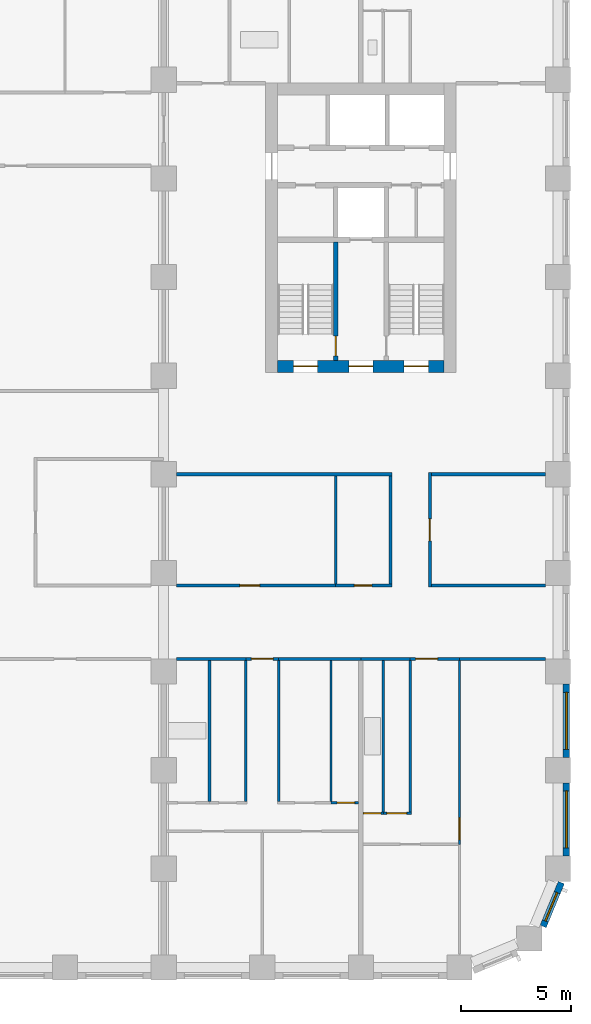
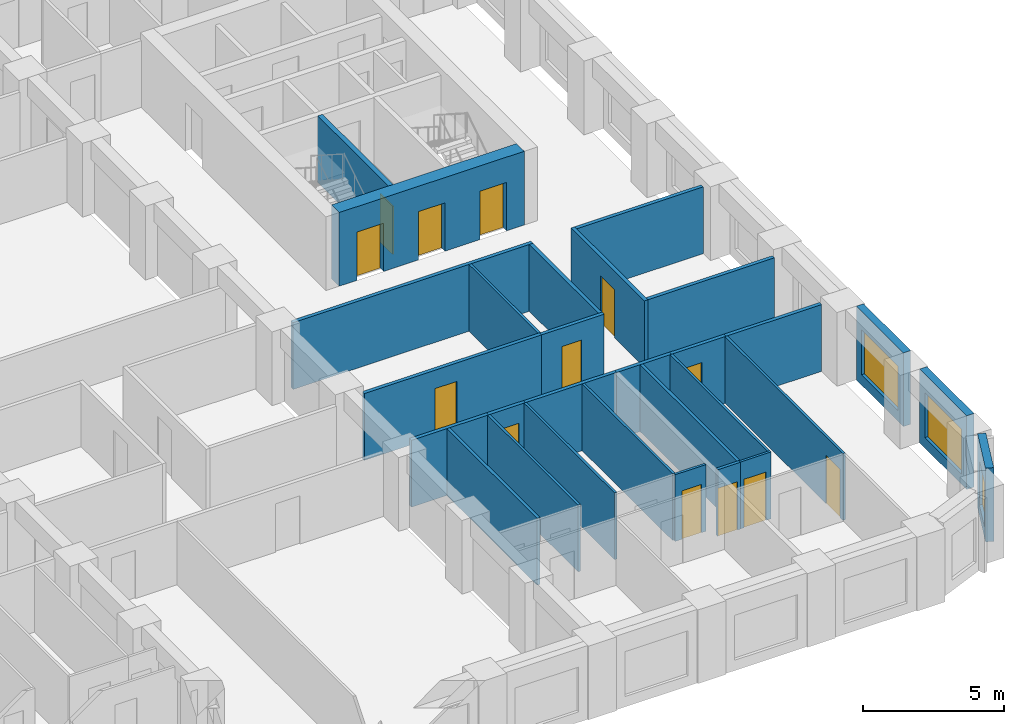
# One storey, part 5 of 12: 29 walls, 13 doors, 3 windows, 16 openings.
"""IFC4 building model written with IfcOpenShell, lengths in metres."""

from ifc_helpers import new_model, si_unit, direction, frame, frame_2d, origin, place, context, subcontext, project, spatial, rectangle, extrude, material, layer, layer_set, type_object, element, fill, save


model = new_model("IFC4")

# Units and contexts
model_context = context("Model", 3, precision=1e-05, world=origin(), true_north=direction((0.0, 1.0)))
body_context = subcontext(model_context, "Body", "Model", "MODEL_VIEW")
ifc_project = project(units=[si_unit("LENGTHUNIT", "METRE"), si_unit("AREAUNIT", "SQUARE_METRE"), si_unit("VOLUMEUNIT", "CUBIC_METRE"), si_unit("PLANEANGLEUNIT", "RADIAN"), si_unit("MASSUNIT", "GRAM", prefix="KILO")], contexts=[model_context])

# Site, building, storey
site_placement = place(None, origin())
site = spatial("IfcSite", under=ifc_project, at=site_placement, CompositionType="ELEMENT")
building_placement = place(site_placement, origin())
building = spatial("IfcBuilding", under=site, at=building_placement, Name="Girih Gate Residences", CompositionType="ELEMENT")
storey_placement = place(building_placement, frame((0.0, 0.0, 108.800048828125)))
storey = spatial("IfcBuildingStorey", under=building, at=storey_placement, Name="L30", CompositionType="ELEMENT", Elevation=108.800048828125)

# Wall
ifc_material_1 = material(Name="Gypsum board on steel studs", Category="steel")
ifc_layer_1 = layer(ifc_material_1, 0.14990234375)
ifc_layer_set_1 = layer_set([ifc_layer_1], Name="Compartment wall 150 mm")
wall_type_1 = type_object("IfcWallType", Name="Compartment wall 150 mm", PredefinedType="PARTITIONING", material=ifc_layer_set_1)
wall_1_placement = place(storey_placement, frame((40.5, 14.074951171875, 0.0), z_axis=(0.0, 0.0, 1.0), x_axis=(1.0, 0.0, 0.0)))
element("IfcWall", 1, at=wall_1_placement, inside=storey, type_object=wall_type_1, Name="L30 partition", PredefinedType="PARTITIONING", context=body_context, shape_type="SweptSolid", body=[
    extrude(rectangle(XDim=2.25, YDim=0.14990234375, at=frame_2d((1.125, 0.0))), origin(), (0.0, 0.0, 1.0), 2.89990234375),
])

# Wall, opening, door
wall_2_placement = place(storey_placement, frame((45.0, 14.074951171875, 0.0), z_axis=(0.0, 0.0, 1.0), x_axis=(-1.0, 0.0, 0.0)))
wall_2 = element("IfcWall", 2, at=wall_2_placement, inside=storey, type_object=wall_type_1, Name="L30 partition", PredefinedType="PARTITIONING", context=body_context, shape_type="SweptSolid", body=[
    extrude(rectangle(XDim=2.25, YDim=0.14990234375, at=frame_2d((1.125, 0.0))), origin(), (0.0, 0.0, 1.0), 2.89990234375),
])
opening_1_placement = place(wall_2_placement, frame((1.0, 0.0, 0.0)))
opening_1 = element("IfcOpeningElement", 3, at=opening_1_placement, cuts=wall_2, Name="Opening A30-021", PredefinedType="OPENING", context=body_context, shape_type="SweptSolid", body=[
    extrude(rectangle(XDim=1.0, YDim=2.10009765625, at=frame_2d((0.5, 1.050048828125))), frame((0.0, 0.0849609375, 0.0), z_axis=(0.0, -1.0, 0.0), x_axis=(1.0, 0.0, 0.0)), (0.0, 0.0, 1.0), 0.169921875),
])
ifc_material_2 = material(Name="Timber, fire-rated core", Category="wood")
door_type_1 = type_object("IfcDoorType", Name="Flat entrance door 1000x2100 FD30S", OperationType="NOTDEFINED", PredefinedType="DOOR", material=ifc_material_2)
door_1_placement = place(opening_1_placement, origin())
door_1 = element("IfcDoor", 4, at=door_1_placement, inside=storey, type_object=door_type_1, Name="Door A30-021", OperationType="SINGLE_SWING_RIGHT", OverallHeight=2.10009765625, OverallWidth=1.0, PredefinedType="DOOR", context=body_context, shape_type="SweptSolid", body=[
    extrude(rectangle(XDim=1.0, YDim=2.10009765625, at=frame_2d((0.5, 1.050048828125))), frame((0.0, 0.02490234375, 0.0), z_axis=(0.0, -1.0, 0.0), x_axis=(1.0, 0.0, 0.0)), (0.0, 0.0, 1.0), 0.050048828125),
])
fill(opening_1, door_1)

# Walls
wall_3_placement = place(storey_placement, frame((45.0, 14.074951171875, 0.0), z_axis=(0.0, 0.0, 1.0), x_axis=(1.0, 0.0, 0.0)))
element("IfcWall", 5, at=wall_3_placement, inside=storey, type_object=wall_type_1, Name="L30 partition", PredefinedType="PARTITIONING", context=body_context, shape_type="SweptSolid", body=[
    extrude(rectangle(XDim=3.925048828125, YDim=0.14990234375, at=frame_2d((1.96240234375, 0.0))), origin(), (0.0, 0.0, 1.0), 2.89990234375),
])
wall_4_placement = place(storey_placement, frame((32.074951171875, 14.074951171875, 0.0), z_axis=(0.0, 0.0, 1.0), x_axis=(1.0, 0.0, 0.0)))
element("IfcWall", 6, at=wall_4_placement, inside=storey, type_object=wall_type_1, Name="L30 partition", PredefinedType="PARTITIONING", context=body_context, shape_type="SweptSolid", body=[
    extrude(rectangle(XDim=3.175048828125, YDim=0.14990234375, at=frame_2d((1.58740234375, 0.0))), origin(), (0.0, 0.0, 1.0), 2.89990234375),
])

# Wall, opening, door
wall_5_placement = place(storey_placement, frame((36.75, 14.074951171875, 0.0), z_axis=(0.0, 0.0, 1.0), x_axis=(-1.0, 0.0, 0.0)))
wall_5 = element("IfcWall", 7, at=wall_5_placement, inside=storey, type_object=wall_type_1, Name="L30 partition", PredefinedType="PARTITIONING", context=body_context, shape_type="SweptSolid", body=[
    extrude(rectangle(XDim=1.5, YDim=0.14990234375, at=frame_2d((0.75, 0.0))), origin(), (0.0, 0.0, 1.0), 2.89990234375),
])
opening_2_placement = place(wall_5_placement, frame((0.25, 0.0, 0.0)))
opening_2 = element("IfcOpeningElement", 8, at=opening_2_placement, cuts=wall_5, Name="Opening A30-028", PredefinedType="OPENING", context=body_context, shape_type="SweptSolid", body=[
    extrude(rectangle(XDim=1.0, YDim=2.10009765625, at=frame_2d((0.5, 1.050048828125))), frame((0.0, 0.0849609375, 0.0), z_axis=(0.0, -1.0, 0.0), x_axis=(1.0, 0.0, 0.0)), (0.0, 0.0, 1.0), 0.169921875),
])
door_2_placement = place(opening_2_placement, origin())
door_2 = element("IfcDoor", 9, at=door_2_placement, inside=storey, type_object=door_type_1, Name="Door A30-028", OperationType="SINGLE_SWING_RIGHT", OverallHeight=2.10009765625, OverallWidth=1.0, PredefinedType="DOOR", context=body_context, shape_type="SweptSolid", body=[
    extrude(rectangle(XDim=1.0, YDim=2.10009765625, at=frame_2d((0.5, 1.050048828125))), frame((0.0, 0.02490234375, 0.0), z_axis=(0.0, -1.0, 0.0), x_axis=(1.0, 0.0, 0.0)), (0.0, 0.0, 1.0), 0.050048828125),
])
fill(opening_2, door_2)

# Wall
wall_6_placement = place(storey_placement, frame((36.75, 14.074951171875, 0.0), z_axis=(0.0, 0.0, 1.0), x_axis=(1.0, 0.0, 0.0)))
element("IfcWall", 10, at=wall_6_placement, inside=storey, type_object=wall_type_1, Name="L30 partition", PredefinedType="PARTITIONING", context=body_context, shape_type="SweptSolid", body=[
    extrude(rectangle(XDim=3.75, YDim=0.14990234375, at=frame_2d((1.875, 0.0))), origin(), (0.0, 0.0, 1.0), 2.89990234375),
])

# Wall, opening, door
wall_7_placement = place(storey_placement, frame((32.074951171875, 17.425048828125, 0.0), z_axis=(0.0, 0.0, 1.0), x_axis=(1.0, 0.0, 0.0)))
wall_7 = element("IfcWall", 11, at=wall_7_placement, inside=storey, type_object=wall_type_1, Name="L30 partition", PredefinedType="PARTITIONING", context=body_context, shape_type="SweptSolid", body=[
    extrude(rectangle(XDim=7.275146484375, YDim=0.14990234375, at=frame_2d((3.6376953125, 0.0))), origin(), (0.0, 0.0, 1.0), 2.89990234375),
])
opening_3_placement = place(wall_7_placement, frame((2.89990234375, 0.0, 0.0)))
opening_3 = element("IfcOpeningElement", 12, at=opening_3_placement, cuts=wall_7, Name="Opening A30-048", PredefinedType="OPENING", context=body_context, shape_type="SweptSolid", body=[
    extrude(rectangle(XDim=0.89990234375, YDim=2.10009765625, at=frame_2d((0.449951171875, 1.050048828125))), frame((0.0, 0.0849609375, 0.0), z_axis=(0.0, -1.0, 0.0), x_axis=(1.0, 0.0, 0.0)), (0.0, 0.0, 1.0), 0.169921875),
])
ifc_material_3 = material(Name="Timber", Category="wood")
door_type_2 = type_object("IfcDoorType", Name="Service room door 900x2100", OperationType="NOTDEFINED", PredefinedType="DOOR", material=ifc_material_3)
door_3_placement = place(opening_3_placement, origin())
door_3 = element("IfcDoor", 13, at=door_3_placement, inside=storey, type_object=door_type_2, Name="Door A30-048", OperationType="SINGLE_SWING_LEFT", OverallHeight=2.10009765625, OverallWidth=0.89990234375, PredefinedType="DOOR", context=body_context, shape_type="SweptSolid", body=[
    extrude(rectangle(XDim=0.89990234375, YDim=2.10009765625, at=frame_2d((0.449951171875, 1.050048828125))), frame((0.0, 0.02490234375, 0.0), z_axis=(0.0, -1.0, 0.0), x_axis=(1.0, 0.0, 0.0)), (0.0, 0.0, 1.0), 0.050048828125),
])
fill(opening_3, door_3)

wall_8_placement = place(storey_placement, frame((39.35009765625, 17.425048828125, 0.0), z_axis=(0.0, 0.0, 1.0), x_axis=(1.0, 0.0, 0.0)))
wall_8 = element("IfcWall", 14, at=wall_8_placement, inside=storey, type_object=wall_type_1, Name="L30 partition", PredefinedType="PARTITIONING", context=body_context, shape_type="SweptSolid", body=[
    extrude(rectangle(XDim=2.574951171875, YDim=0.14990234375, at=frame_2d((1.28759765625, 0.0))), origin(), (0.0, 0.0, 1.0), 2.89990234375),
])
opening_4_placement = place(wall_8_placement, frame((0.85009765625, 0.0, 0.0)))
opening_4 = element("IfcOpeningElement", 15, at=opening_4_placement, cuts=wall_8, Name="Opening A30-050", PredefinedType="OPENING", context=body_context, shape_type="SweptSolid", body=[
    extrude(rectangle(XDim=0.800048828125, YDim=2.10009765625, at=frame_2d((0.39990234375, 1.050048828125))), frame((0.0, 0.0849609375, 0.0), z_axis=(0.0, -1.0, 0.0), x_axis=(1.0, 0.0, 0.0)), (0.0, 0.0, 1.0), 0.169921875),
])
door_type_3 = type_object("IfcDoorType", Name="Bathroom door 800x2100", OperationType="NOTDEFINED", PredefinedType="DOOR", material=ifc_material_3)
door_4_placement = place(opening_4_placement, origin())
door_4 = element("IfcDoor", 16, at=door_4_placement, inside=storey, type_object=door_type_3, Name="Door A30-050", OperationType="SINGLE_SWING_LEFT", OverallHeight=2.10009765625, OverallWidth=0.800048828125, PredefinedType="DOOR", context=body_context, shape_type="SweptSolid", body=[
    extrude(rectangle(XDim=0.800048828125, YDim=2.10009765625, at=frame_2d((0.39990234375, 1.050048828125))), frame((0.0, 0.02490234375, 0.0), z_axis=(0.0, -1.0, 0.0), x_axis=(1.0, 0.0, 0.0)), (0.0, 0.0, 1.0), 0.050048828125),
])
fill(opening_4, door_4)

# Walls
wall_9_placement = place(storey_placement, frame((43.72509765625, 17.425048828125, 0.0), z_axis=(0.0, 0.0, 1.0), x_axis=(1.0, 0.0, 0.0)))
element("IfcWall", 17, at=wall_9_placement, inside=storey, type_object=wall_type_1, Name="L30 partition", PredefinedType="PARTITIONING", context=body_context, shape_type="SweptSolid", body=[
    extrude(rectangle(XDim=5.199951171875, YDim=0.14990234375, at=frame_2d((2.60009765625, 0.0))), origin(), (0.0, 0.0, 1.0), 2.89990234375),
])
wall_10_placement = place(storey_placement, frame((32.074951171875, 22.5, 0.0), z_axis=(0.0, 0.0, 1.0), x_axis=(1.0, 0.0, 0.0)))
element("IfcWall", 18, at=wall_10_placement, inside=storey, type_object=wall_type_1, Name="L30 partition", PredefinedType="PARTITIONING", context=body_context, shape_type="SweptSolid", body=[
    extrude(rectangle(XDim=9.85009765625, YDim=0.14990234375, at=frame_2d((4.925048828125, 0.0))), origin(), (0.0, 0.0, 1.0), 2.89990234375),
])
wall_11_placement = place(storey_placement, frame((43.72509765625, 22.5, 0.0), z_axis=(0.0, 0.0, 1.0), x_axis=(1.0, 0.0, 0.0)))
element("IfcWall", 19, at=wall_11_placement, inside=storey, type_object=wall_type_1, Name="L30 partition", PredefinedType="PARTITIONING", context=body_context, shape_type="SweptSolid", body=[
    extrude(rectangle(XDim=5.199951171875, YDim=0.14990234375, at=frame_2d((2.60009765625, 0.0))), origin(), (0.0, 0.0, 1.0), 2.89990234375),
])
wall_12_placement = place(storey_placement, frame((41.85009765625, 17.5, 0.0), z_axis=(0.0, 0.0, 1.0), x_axis=(0.0, 1.0, 0.0)))
element("IfcWall", 20, at=wall_12_placement, inside=storey, type_object=wall_type_1, Name="L30 partition", PredefinedType="PARTITIONING", context=body_context, shape_type="SweptSolid", body=[
    extrude(rectangle(XDim=4.925048828125, YDim=0.14990234375, at=frame_2d((2.46240234375, 0.0))), origin(), (0.0, 0.0, 1.0), 2.89990234375),
])

# Wall, opening, door
wall_13_placement = place(storey_placement, frame((43.64990234375, 22.574951171875, 0.0), z_axis=(0.0, 0.0, 1.0), x_axis=(0.0, -1.0, 0.0)))
wall_13 = element("IfcWall", 21, at=wall_13_placement, inside=storey, type_object=wall_type_1, Name="L30 partition", PredefinedType="PARTITIONING", context=body_context, shape_type="SweptSolid", body=[
    extrude(rectangle(XDim=5.224853515625, YDim=0.14990234375, at=frame_2d((2.6123046875, 0.0))), origin(), (0.0, 0.0, 1.0), 2.89990234375),
])
opening_5_placement = place(wall_13_placement, frame((2.112548828125, 0.0, 0.0)))
opening_5 = element("IfcOpeningElement", 22, at=opening_5_placement, cuts=wall_13, Name="Opening A30-052", PredefinedType="OPENING", context=body_context, shape_type="SweptSolid", body=[
    extrude(rectangle(XDim=1.0, YDim=2.10009765625, at=frame_2d((0.5, 1.050048828125))), frame((0.0, 0.0849609375, 0.0), z_axis=(0.0, -1.0, 0.0), x_axis=(1.0, 0.0, 0.0)), (0.0, 0.0, 1.0), 0.169921875),
])
door_type_4 = type_object("IfcDoorType", Name="Amenity room door 1000x2100 FD30S", OperationType="NOTDEFINED", PredefinedType="DOOR", material=ifc_material_2)
door_5_placement = place(opening_5_placement, origin())
door_5 = element("IfcDoor", 23, at=door_5_placement, inside=storey, type_object=door_type_4, Name="Door A30-052", OperationType="SINGLE_SWING_RIGHT", OverallHeight=2.10009765625, OverallWidth=1.0, PredefinedType="DOOR", context=body_context, shape_type="SweptSolid", body=[
    extrude(rectangle(XDim=1.0, YDim=2.10009765625, at=frame_2d((0.5, 1.050048828125))), frame((0.0, 0.02490234375, 0.0), z_axis=(0.0, -1.0, 0.0), x_axis=(1.0, 0.0, 0.0)), (0.0, 0.0, 1.0), 0.050048828125),
])
fill(opening_5, door_5)

# Wall, openings, doors
ifc_material_4 = material(Name="Concrete C60/75", Category="concrete")
ifc_layer_2 = layer(ifc_material_4, 0.550048828125)
ifc_layer_set_2 = layer_set([ifc_layer_2], Name="Core wall RC 550 Concrete C60/75")
wall_type_2 = type_object("IfcWallType", Name="Core wall RC 550 Concrete C60/75", PredefinedType="SOLIDWALL", material=ifc_layer_set_2)
wall_14_placement = place(storey_placement, frame((36.699951171875, 27.425048828125, 0.0), z_axis=(0.0, 0.0, 1.0), x_axis=(1.0, 0.0, 0.0)))
wall_14 = element("IfcWall", 24, at=wall_14_placement, inside=storey, type_object=wall_type_2, Name="Core wall E-S L30", PredefinedType="SOLIDWALL", context=body_context, shape_type="SweptSolid", body=[
    extrude(rectangle(XDim=7.60009765625, YDim=0.550048828125, at=frame_2d((3.800048828125, 0.0))), origin(), (0.0, 0.0, 1.0), 3.199951171875),
])
opening_6_placement = place(wall_14_placement, frame((5.77490234375, 0.0, 0.0)))
opening_6 = element("IfcOpeningElement", 25, at=opening_6_placement, cuts=wall_14, Name="Opening D-L30-E-010", PredefinedType="OPENING", context=body_context, shape_type="SweptSolid", body=[
    extrude(rectangle(XDim=1.10009765625, YDim=2.10009765625, at=frame_2d((0.550048828125, 1.050048828125))), frame((0.0, 0.284912109375, 0.0), z_axis=(0.0, -1.0, 0.0), x_axis=(1.0, 0.0, 0.0)), (0.0, 0.0, 1.0), 0.570068359375),
])
opening_7_placement = place(wall_14_placement, frame((3.25, 0.0, 0.0)))
opening_7 = element("IfcOpeningElement", 26, at=opening_7_placement, cuts=wall_14, Name="Opening D-L30-E-011", PredefinedType="OPENING", context=body_context, shape_type="SweptSolid", body=[
    extrude(rectangle(XDim=1.10009765625, YDim=2.10009765625, at=frame_2d((0.550048828125, 1.050048828125))), frame((0.0, 0.284912109375, 0.0), z_axis=(0.0, -1.0, 0.0), x_axis=(1.0, 0.0, 0.0)), (0.0, 0.0, 1.0), 0.570068359375),
])
opening_8_placement = place(wall_14_placement, frame((0.72509765625, 0.0, 0.0)))
opening_8 = element("IfcOpeningElement", 27, at=opening_8_placement, cuts=wall_14, Name="Opening D-L30-E-012", PredefinedType="OPENING", context=body_context, shape_type="SweptSolid", body=[
    extrude(rectangle(XDim=1.10009765625, YDim=2.10009765625, at=frame_2d((0.550048828125, 1.050048828125))), frame((0.0, 0.284912109375, 0.0), z_axis=(0.0, -1.0, 0.0), x_axis=(1.0, 0.0, 0.0)), (0.0, 0.0, 1.0), 0.570068359375),
])
ifc_material_5 = material(Name="Painted steel, fire-resisting", Category="steel")
door_type_5 = type_object("IfcDoorType", Name="Fire door 1100x2100", OperationType="SINGLE_SWING_LEFT", PredefinedType="DOOR", material=ifc_material_5)
door_6_placement = place(opening_6_placement, origin())
door_6 = element("IfcDoor", 28, at=door_6_placement, inside=storey, type_object=door_type_5, Name="L30 E core door sta-out", OperationType="SINGLE_SWING_LEFT", OverallHeight=2.10009765625, OverallWidth=1.10009765625, PredefinedType="DOOR", context=body_context, shape_type="SweptSolid", body=[
    extrude(rectangle(XDim=1.10009765625, YDim=2.10009765625, at=frame_2d((0.550048828125, 1.050048828125))), frame((0.0, 0.02490234375, 0.0), z_axis=(0.0, -1.0, 0.0), x_axis=(1.0, 0.0, 0.0)), (0.0, 0.0, 1.0), 0.050048828125),
])
fill(opening_6, door_6)
door_7_placement = place(opening_7_placement, origin())
door_7 = element("IfcDoor", 29, at=door_7_placement, inside=storey, type_object=door_type_5, Name="L30 E core door ffl-out", OperationType="SINGLE_SWING_LEFT", OverallHeight=2.10009765625, OverallWidth=1.10009765625, PredefinedType="DOOR", context=body_context, shape_type="SweptSolid", body=[
    extrude(rectangle(XDim=1.10009765625, YDim=2.10009765625, at=frame_2d((0.550048828125, 1.050048828125))), frame((0.0, 0.02490234375, 0.0), z_axis=(0.0, -1.0, 0.0), x_axis=(1.0, 0.0, 0.0)), (0.0, 0.0, 1.0), 0.050048828125),
])
fill(opening_7, door_7)
door_8_placement = place(opening_8_placement, origin())
door_8 = element("IfcDoor", 30, at=door_8_placement, inside=storey, type_object=door_type_5, Name="L30 E core door stb-out", OperationType="SINGLE_SWING_LEFT", OverallHeight=2.10009765625, OverallWidth=1.10009765625, PredefinedType="DOOR", context=body_context, shape_type="SweptSolid", body=[
    extrude(rectangle(XDim=1.10009765625, YDim=2.10009765625, at=frame_2d((0.550048828125, 1.050048828125))), frame((0.0, 0.02490234375, 0.0), z_axis=(0.0, -1.0, 0.0), x_axis=(1.0, 0.0, 0.0)), (0.0, 0.0, 1.0), 0.050048828125),
])
fill(opening_8, door_8)

# Wall, opening, door
ifc_layer_3 = layer(ifc_material_1, 0.10009765625)
ifc_layer_set_3 = layer_set([ifc_layer_3], Name="Partition 100 mm")
wall_type_3 = type_object("IfcWallType", Name="Partition 100 mm", PredefinedType="PARTITIONING", material=ifc_layer_set_3)
wall_15_placement = place(storey_placement, frame((41.522705078125, 7.034912109375, 0.0), z_axis=(0.0, 0.0, 1.0), x_axis=(1.0, 0.0, 0.0)))
wall_15 = element("IfcWall", 31, at=wall_15_placement, inside=storey, type_object=wall_type_3, Name="L30 partition", PredefinedType="PARTITIONING", context=body_context, shape_type="SweptSolid", body=[
    extrude(rectangle(XDim=1.27734375, YDim=0.10009765625, at=frame_2d((0.638671875, 0.0))), origin(), (0.0, 0.0, 1.0), 2.89990234375),
])
opening_9_placement = place(wall_15_placement, frame((0.16357421875, 0.0, 0.0)))
opening_9 = element("IfcOpeningElement", 32, at=opening_9_placement, cuts=wall_15, Name="Opening A30-019", PredefinedType="OPENING", context=body_context, shape_type="SweptSolid", body=[
    extrude(rectangle(XDim=0.89990234375, YDim=2.10009765625, at=frame_2d((0.449951171875, 1.050048828125))), frame((0.0, 0.06005859375, 0.0), z_axis=(0.0, -1.0, 0.0), x_axis=(1.0, 0.0, 0.0)), (0.0, 0.0, 1.0), 0.1201171875),
])
door_type_6 = type_object("IfcDoorType", Name="Kitchen door 900x2100", OperationType="NOTDEFINED", PredefinedType="DOOR", material=ifc_material_3)
door_9_placement = place(opening_9_placement, origin())
door_9 = element("IfcDoor", 33, at=door_9_placement, inside=storey, type_object=door_type_6, Name="Door A30-019", OperationType="SINGLE_SWING_LEFT", OverallHeight=2.10009765625, OverallWidth=0.89990234375, PredefinedType="DOOR", context=body_context, shape_type="SweptSolid", body=[
    extrude(rectangle(XDim=0.89990234375, YDim=2.10009765625, at=frame_2d((0.449951171875, 1.050048828125))), frame((0.0, 0.02490234375, 0.0), z_axis=(0.0, -1.0, 0.0), x_axis=(1.0, 0.0, 0.0)), (0.0, 0.0, 1.0), 0.050048828125),
])
fill(opening_9, door_9)

# Wall
wall_16_placement = place(storey_placement, frame((42.75, 7.0849609375, 0.0), z_axis=(0.0, 0.0, 1.0), x_axis=(0.0, 1.0, 0.0)))
element("IfcWall", 34, at=wall_16_placement, inside=storey, type_object=wall_type_3, Name="L30 partition", PredefinedType="PARTITIONING", context=body_context, shape_type="SweptSolid", body=[
    extrude(rectangle(XDim=6.9150390625, YDim=0.10009765625, at=frame_2d((3.45751953125, 0.0))), origin(), (0.0, 0.0, 1.0), 2.89990234375),
])

# Wall, opening, door
wall_17_placement = place(storey_placement, frame((45.0, 14.0, 0.0), z_axis=(0.0, 0.0, 1.0), x_axis=(0.0, -1.0, 0.0)))
wall_17 = element("IfcWall", 35, at=wall_17_placement, inside=storey, type_object=wall_type_3, Name="L30 partition", PredefinedType="PARTITIONING", context=body_context, shape_type="SweptSolid", body=[
    extrude(rectangle(XDim=8.385009765625, YDim=0.10009765625, at=frame_2d((4.1923828125, 0.0))), origin(), (0.0, 0.0, 1.0), 2.89990234375),
])
opening_10_placement = place(wall_17_placement, frame((7.175048828125, 0.0, 0.0)))
opening_10 = element("IfcOpeningElement", 36, at=opening_10_placement, cuts=wall_17, Name="Opening A30-020", PredefinedType="OPENING", context=body_context, shape_type="SweptSolid", body=[
    extrude(rectangle(XDim=1.0, YDim=2.10009765625, at=frame_2d((0.5, 1.050048828125))), frame((0.0, 0.06005859375, 0.0), z_axis=(0.0, -1.0, 0.0), x_axis=(1.0, 0.0, 0.0)), (0.0, 0.0, 1.0), 0.1201171875),
])
door_type_7 = type_object("IfcDoorType", Name="Living room door 1000x2100", OperationType="NOTDEFINED", PredefinedType="DOOR", material=ifc_material_3)
door_10_placement = place(opening_10_placement, origin())
door_10 = element("IfcDoor", 37, at=door_10_placement, inside=storey, type_object=door_type_7, Name="Door A30-020", OperationType="SINGLE_SWING_RIGHT", OverallHeight=2.10009765625, OverallWidth=1.0, PredefinedType="DOOR", context=body_context, shape_type="SweptSolid", body=[
    extrude(rectangle(XDim=1.0, YDim=2.10009765625, at=frame_2d((0.5, 1.050048828125))), frame((0.0, 0.02490234375, 0.0), z_axis=(0.0, -1.0, 0.0), x_axis=(1.0, 0.0, 0.0)), (0.0, 0.0, 1.0), 0.050048828125),
])
fill(opening_10, door_10)

# Wall
wall_18_placement = place(storey_placement, frame((36.75, 7.56494140625, 0.0), z_axis=(0.0, 0.0, 1.0), x_axis=(0.0, 1.0, 0.0)))
element("IfcWall", 38, at=wall_18_placement, inside=storey, type_object=wall_type_3, Name="L30 partition", PredefinedType="PARTITIONING", context=body_context, shape_type="SweptSolid", body=[
    extrude(rectangle(XDim=6.43505859375, YDim=0.10009765625, at=frame_2d((3.217529296875, 0.0))), origin(), (0.0, 0.0, 1.0), 2.89990234375),
])

# Wall, opening, door
wall_19_placement = place(storey_placement, frame((39.1328125, 7.514892578125, 0.0), z_axis=(0.0, 0.0, 1.0), x_axis=(1.0, 0.0, 0.0)))
wall_19 = element("IfcWall", 39, at=wall_19_placement, inside=storey, type_object=wall_type_3, Name="L30 partition", PredefinedType="PARTITIONING", context=body_context, shape_type="SweptSolid", body=[
    extrude(rectangle(XDim=1.26708984375, YDim=0.10009765625, at=frame_2d((0.633544921875, 0.0))), origin(), (0.0, 0.0, 1.0), 2.89990234375),
])
opening_11_placement = place(wall_19_placement, frame((0.28369140625, 0.0, 0.0)))
opening_11 = element("IfcOpeningElement", 40, at=opening_11_placement, cuts=wall_19, Name="Opening A30-026", PredefinedType="OPENING", context=body_context, shape_type="SweptSolid", body=[
    extrude(rectangle(XDim=0.800048828125, YDim=2.10009765625, at=frame_2d((0.39990234375, 1.050048828125))), frame((0.0, 0.06005859375, 0.0), z_axis=(0.0, -1.0, 0.0), x_axis=(1.0, 0.0, 0.0)), (0.0, 0.0, 1.0), 0.1201171875),
])
door_type_8 = type_object("IfcDoorType", Name="Store door 800x2100", OperationType="NOTDEFINED", PredefinedType="DOOR", material=ifc_material_3)
door_11_placement = place(opening_11_placement, origin())
door_11 = element("IfcDoor", 41, at=door_11_placement, inside=storey, type_object=door_type_8, Name="Door A30-026", OperationType="SINGLE_SWING_RIGHT", OverallHeight=2.10009765625, OverallWidth=0.800048828125, PredefinedType="DOOR", context=body_context, shape_type="SweptSolid", body=[
    extrude(rectangle(XDim=0.800048828125, YDim=2.10009765625, at=frame_2d((0.39990234375, 1.050048828125))), frame((0.0, 0.02490234375, 0.0), z_axis=(0.0, -1.0, 0.0), x_axis=(1.0, 0.0, 0.0)), (0.0, 0.0, 1.0), 0.050048828125),
])
fill(opening_11, door_11)

# Walls
for number, where, z_axis, x_axis, name in (
    (42, (35.25, 7.56494140625, 0.0), (0.0, 0.0, 1.0), (0.0, 1.0, 0.0), "L30 partition"),
    (43, (39.133056640625, 7.56494140625, 0.0), (0.0, 0.0, 1.0), (0.0, 1.0, 0.0), "L30 partition"),
):
    element("IfcWall", number, at=place(storey_placement, frame(where, z_axis=z_axis, x_axis=x_axis)), inside=storey, type_object=wall_type_3, Name=name, PredefinedType="PARTITIONING", context=body_context, shape_type="SweptSolid", body=[
        extrude(rectangle(XDim=6.43505859375, YDim=0.10009765625, at=frame_2d((3.217529296875, 0.0))), origin(), (0.0, 0.0, 1.0), 2.89990234375),
    ])
wall_20_placement = place(storey_placement, frame((39.35009765625, 17.5, 0.0), z_axis=(0.0, 0.0, 1.0), x_axis=(0.0, 1.0, 0.0)))
element("IfcWall", 44, at=wall_20_placement, inside=storey, type_object=wall_type_3, Name="L30 partition", PredefinedType="PARTITIONING", context=body_context, shape_type="SweptSolid", body=[
    extrude(rectangle(XDim=4.925048828125, YDim=0.10009765625, at=frame_2d((2.46240234375, 0.0))), origin(), (0.0, 0.0, 1.0), 2.89990234375),
])

# Wall, opening, window
ifc_material_6 = material(Name="Precast concrete C50/60", Category="concrete")
ifc_layer_4 = layer(ifc_material_6, 0.080078125, Name="Outer leaf")
ifc_material_7 = material(Name="Rigid PIR insulation")
ifc_layer_5 = layer(ifc_material_7, 0.14990234375, Name="Insulation")
ifc_material_8 = material(Name="Precast concrete C40/50", Category="concrete")
ifc_layer_6 = layer(ifc_material_8, 0.070068359375, Name="Inner leaf")
ifc_layer_set_4 = layer_set([ifc_layer_4, ifc_layer_5, ifc_layer_6], Name="Precast concrete C50/60 external wall 300")
wall_type_4 = type_object("IfcWallType", Name="Precast concrete C50/60 external wall 300", PredefinedType="SOLIDWALL", material=ifc_layer_set_4)
wall_21_placement = place(storey_placement, frame((49.64404296875, 3.86767578125, 0.0), z_axis=(0.0, 0.0, 1.0), x_axis=(-0.382723818695, -0.923862802911, 0.0)))
wall_21 = element("IfcWall", 45, at=wall_21_placement, inside=storey, type_object=wall_type_4, Name="External wall SE0482_0013.0", PredefinedType="SOLIDWALL", context=body_context, shape_type="SweptSolid", body=[
    extrude(rectangle(XDim=2.163818359375, YDim=0.300048828125, at=frame_2d((1.08203125, 0.0))), origin(), (0.0, 0.0, 1.0), 3.199951171875),
])
opening_12_placement = place(wall_21_placement, frame((0.492919921875, 0.0, 0.449951171875)))
opening_12 = element("IfcOpeningElement", 46, at=opening_12_placement, cuts=wall_21, Name="Opening W-2D", PredefinedType="OPENING", context=body_context, shape_type="SweptSolid", body=[
    extrude(rectangle(XDim=1.39990234375, YDim=1.949951171875, at=frame_2d((0.699951171875, 0.97509765625))), frame((0.0, 0.159912109375, 0.0), z_axis=(0.0, -1.0, 0.0), x_axis=(1.0, 0.0, 0.0)), (0.0, 0.0, 1.0), 0.320068359375),
])
ifc_material_9 = material(Name="Double glazing in aluminium frame", Category="aluminium")
window_type_1 = type_object("IfcWindowType", Name="Window W-2D 1400x1950", PartitioningType="SINGLE_PANEL", PredefinedType="WINDOW", material=ifc_material_9)
window_1_placement = place(opening_12_placement, origin())
window_1 = element("IfcWindow", 47, at=window_1_placement, inside=storey, type_object=window_type_1, Name="Window W-2D SE0482_0013.0", OverallHeight=1.949951171875, OverallWidth=1.39990234375, PartitioningType="SINGLE_PANEL", PredefinedType="WINDOW", context=body_context, shape_type="SweptSolid", body=[
    extrude(rectangle(XDim=1.39990234375, YDim=1.949951171875, at=frame_2d((0.699951171875, 0.97509765625))), frame((0.0, 0.030029296875, 0.0), z_axis=(0.0, -1.0, 0.0), x_axis=(1.0, 0.0, 0.0)), (0.0, 0.0, 1.0), 0.06005859375),
])
fill(opening_12, window_1)

wall_22_placement = place(storey_placement, frame((49.875, 8.425048828125, 0.0), z_axis=(0.0, 0.0, 1.0), x_axis=(0.0, -1.0, 0.0)))
wall_22 = element("IfcWall", 48, at=wall_22_placement, inside=storey, type_object=wall_type_4, Name="External wall E0495_0045.0", PredefinedType="SOLIDWALL", context=body_context, shape_type="SweptSolid", body=[
    extrude(rectangle(XDim=3.35009765625, YDim=0.300048828125, at=frame_2d((1.675048828125, 0.0))), origin(), (0.0, 0.0, 1.0), 3.199951171875),
])
opening_13_placement = place(wall_22_placement, frame((0.375, 0.0, 0.449951171875)))
opening_13 = element("IfcOpeningElement", 49, at=opening_13_placement, cuts=wall_22, Name="Opening W-1A", PredefinedType="OPENING", context=body_context, shape_type="SweptSolid", body=[
    extrude(rectangle(XDim=2.60009765625, YDim=1.949951171875, at=frame_2d((1.300048828125, 0.97509765625))), frame((0.0, 0.159912109375, 0.0), z_axis=(0.0, -1.0, 0.0), x_axis=(1.0, 0.0, 0.0)), (0.0, 0.0, 1.0), 0.320068359375),
])
window_type_2 = type_object("IfcWindowType", Name="Window W-1A 2600x1950", PartitioningType="SINGLE_PANEL", PredefinedType="WINDOW", material=ifc_material_9)
window_2_placement = place(opening_13_placement, origin())
window_2 = element("IfcWindow", 50, at=window_2_placement, inside=storey, type_object=window_type_2, Name="Window W-1A E0495_0045.0", OverallHeight=1.949951171875, OverallWidth=2.60009765625, PartitioningType="SINGLE_PANEL", PredefinedType="WINDOW", context=body_context, shape_type="SweptSolid", body=[
    extrude(rectangle(XDim=2.60009765625, YDim=1.949951171875, at=frame_2d((1.300048828125, 0.97509765625))), frame((0.0, 0.030029296875, 0.0), z_axis=(0.0, -1.0, 0.0), x_axis=(1.0, 0.0, 0.0)), (0.0, 0.0, 1.0), 0.06005859375),
])
fill(opening_13, window_2)

wall_23_placement = place(storey_placement, frame((49.875, 12.925048828125, 0.0), z_axis=(0.0, 0.0, 1.0), x_axis=(0.0, -1.0, 0.0)))
wall_23 = element("IfcWall", 51, at=wall_23_placement, inside=storey, type_object=wall_type_4, Name="External wall E0495_0045.1", PredefinedType="SOLIDWALL", context=body_context, shape_type="SweptSolid", body=[
    extrude(rectangle(XDim=3.35009765625, YDim=0.300048828125, at=frame_2d((1.675048828125, 0.0))), origin(), (0.0, 0.0, 1.0), 3.199951171875),
])
opening_14_placement = place(wall_23_placement, frame((0.375, 0.0, 0.449951171875)))
opening_14 = element("IfcOpeningElement", 52, at=opening_14_placement, cuts=wall_23, Name="Opening W-1A", PredefinedType="OPENING", context=body_context, shape_type="SweptSolid", body=[
    extrude(rectangle(XDim=2.60009765625, YDim=1.949951171875, at=frame_2d((1.300048828125, 0.97509765625))), frame((0.0, 0.159912109375, 0.0), z_axis=(0.0, -1.0, 0.0), x_axis=(1.0, 0.0, 0.0)), (0.0, 0.0, 1.0), 0.320068359375),
])
window_3_placement = place(opening_14_placement, origin())
window_3 = element("IfcWindow", 53, at=window_3_placement, inside=storey, type_object=window_type_2, Name="Window W-1A E0495_0045.1", OverallHeight=1.949951171875, OverallWidth=2.60009765625, PartitioningType="SINGLE_PANEL", PredefinedType="WINDOW", context=body_context, shape_type="SweptSolid", body=[
    extrude(rectangle(XDim=2.60009765625, YDim=1.949951171875, at=frame_2d((1.300048828125, 0.97509765625))), frame((0.0, 0.030029296875, 0.0), z_axis=(0.0, -1.0, 0.0), x_axis=(1.0, 0.0, 0.0)), (0.0, 0.0, 1.0), 0.06005859375),
])
fill(opening_14, window_3)

# Wall, opening, door
ifc_material_10 = material(Name="Concrete C40/50", Category="concrete")
ifc_layer_7 = layer(ifc_material_10, 0.199951171875)
ifc_layer_set_5 = layer_set([ifc_layer_7], Name="Shaft wall 200")
wall_type_5 = type_object("IfcWallType", Name="Shaft wall 200", PredefinedType="SOLIDWALL", material=ifc_layer_set_5)
wall_24_placement = place(storey_placement, frame((39.35009765625, 27.699951171875, 0.0), z_axis=(0.0, 0.0, 1.0), x_axis=(0.0, 1.0, 0.0)))
wall_24 = element("IfcWall", 54, at=wall_24_placement, inside=storey, type_object=wall_type_5, Name="L30 E core wall V2a", PredefinedType="SOLIDWALL", context=body_context, shape_type="SweptSolid", body=[
    extrude(rectangle(XDim=5.400146484375, YDim=0.199951171875, at=frame_2d((2.7001953125, 0.0))), origin(), (0.0, 0.0, 1.0), 2.89990234375),
])
opening_15_placement = place(wall_24_placement, frame((0.199951171875, 0.0, 0.0)))
opening_15 = element("IfcOpeningElement", 55, at=opening_15_placement, cuts=wall_24, Name="Opening D-L30-E-002", PredefinedType="OPENING", context=body_context, shape_type="SweptSolid", body=[
    extrude(rectangle(XDim=0.89990234375, YDim=2.10009765625, at=frame_2d((0.449951171875, 1.050048828125))), frame((0.0, 0.10986328125, 0.0), z_axis=(0.0, -1.0, 0.0), x_axis=(1.0, 0.0, 0.0)), (0.0, 0.0, 1.0), 0.219970703125),
])
door_type_9 = type_object("IfcDoorType", Name="Fire door 900x2100", OperationType="SINGLE_SWING_LEFT", PredefinedType="DOOR", material=ifc_material_5)
door_12_placement = place(opening_15_placement, origin())
door_12 = element("IfcDoor", 56, at=door_12_placement, inside=storey, type_object=door_type_9, Name="L30 E door stair 2 to firefighting lobby", OperationType="SINGLE_SWING_LEFT", OverallHeight=2.10009765625, OverallWidth=0.89990234375, PredefinedType="DOOR", context=body_context, shape_type="SweptSolid", body=[
    extrude(rectangle(XDim=0.89990234375, YDim=2.10009765625, at=frame_2d((0.449951171875, 1.050048828125))), frame((0.0, 0.02490234375, 0.0), z_axis=(0.0, -1.0, 0.0), x_axis=(1.0, 0.0, 0.0)), (0.0, 0.0, 1.0), 0.050048828125),
])
fill(opening_15, door_12)

ifc_layer_8 = layer(ifc_material_1, 0.125)
ifc_layer_set_6 = layer_set([ifc_layer_8], Name="Wet room wall 125 mm")
wall_type_6 = type_object("IfcWallType", Name="Wet room wall 125 mm", PredefinedType="PARTITIONING", material=ifc_layer_set_6)
wall_25_placement = place(storey_placement, frame((40.60009765625, 7.034912109375, 0.0), z_axis=(0.0, 0.0, 1.0), x_axis=(1.0, 0.0, 0.0)))
wall_25 = element("IfcWall", 57, at=wall_25_placement, inside=storey, type_object=wall_type_6, Name="L30 partition", PredefinedType="PARTITIONING", context=body_context, shape_type="SweptSolid", body=[
    extrude(rectangle(XDim=0.922607421875, YDim=0.125, at=frame_2d((0.46142578125, 0.0))), origin(), (0.0, 0.0, 1.0), 2.89990234375),
])
opening_16_placement = place(wall_25_placement, frame((0.011474609375, 0.0, 0.0)))
opening_16 = element("IfcOpeningElement", 58, at=opening_16_placement, cuts=wall_25, Name="Opening A30-017", PredefinedType="OPENING", context=body_context, shape_type="SweptSolid", body=[
    extrude(rectangle(XDim=0.800048828125, YDim=2.10009765625, at=frame_2d((0.39990234375, 1.050048828125))), frame((0.0, 0.072509765625, 0.0), z_axis=(0.0, -1.0, 0.0), x_axis=(1.0, 0.0, 0.0)), (0.0, 0.0, 1.0), 0.14501953125),
])
door_13_placement = place(opening_16_placement, origin())
door_13 = element("IfcDoor", 59, at=door_13_placement, inside=storey, type_object=door_type_3, Name="Door A30-017", OperationType="SINGLE_SWING_LEFT", OverallHeight=2.10009765625, OverallWidth=0.800048828125, PredefinedType="DOOR", context=body_context, shape_type="SweptSolid", body=[
    extrude(rectangle(XDim=0.800048828125, YDim=2.10009765625, at=frame_2d((0.39990234375, 1.050048828125))), frame((0.0, 0.02490234375, 0.0), z_axis=(0.0, -1.0, 0.0), x_axis=(1.0, 0.0, 0.0)), (0.0, 0.0, 1.0), 0.050048828125),
])
fill(opening_16, door_13)

# Walls
wall_26_placement = place(storey_placement, frame((41.52294921875, 7.097412109375, 0.0), z_axis=(0.0, 0.0, 1.0), x_axis=(0.0, 1.0, 0.0)))
element("IfcWall", 60, at=wall_26_placement, inside=storey, type_object=wall_type_6, Name="L30 partition", PredefinedType="PARTITIONING", context=body_context, shape_type="SweptSolid", body=[
    extrude(rectangle(XDim=6.902587890625, YDim=0.125, at=frame_2d((3.451171875, 0.0))), origin(), (0.0, 0.0, 1.0), 2.89990234375),
])
wall_27_placement = place(storey_placement, frame((33.591064453125, 7.577392578125, 0.0), z_axis=(0.0, 0.0, 1.0), x_axis=(0.0, 1.0, 0.0)))
element("IfcWall", 61, at=wall_27_placement, inside=storey, type_object=wall_type_6, Name="L30 partition", PredefinedType="PARTITIONING", context=body_context, shape_type="SweptSolid", body=[
    extrude(rectangle(XDim=6.422607421875, YDim=0.125, at=frame_2d((3.21142578125, 0.0))), origin(), (0.0, 0.0, 1.0), 2.89990234375),
])

save(model, "model.ifc")
